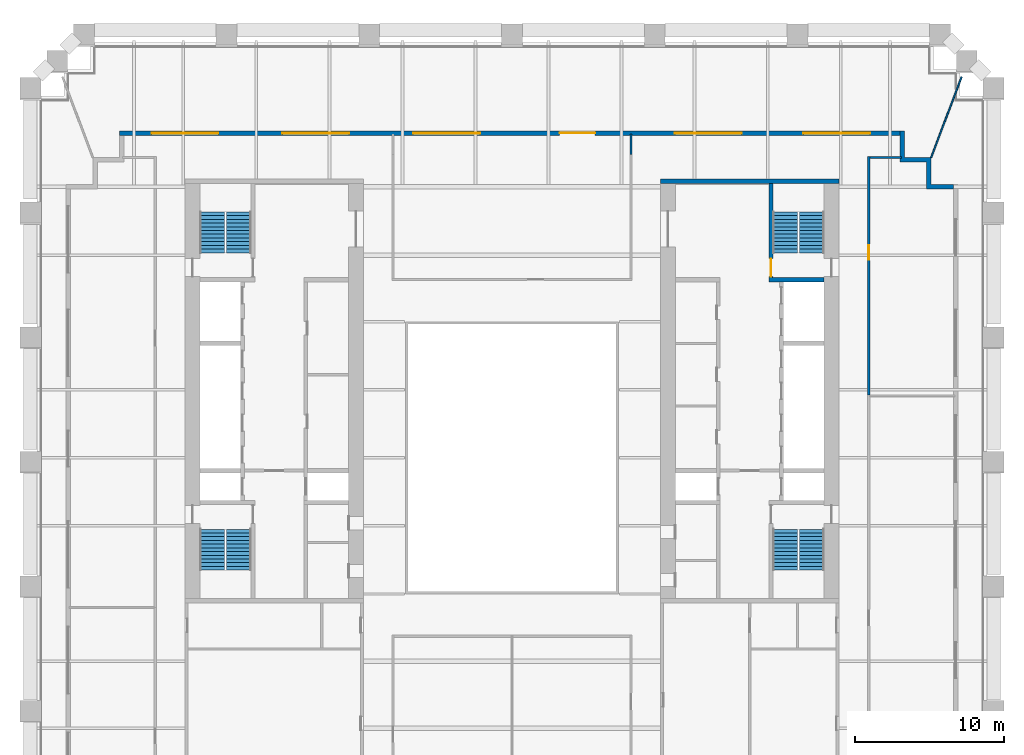
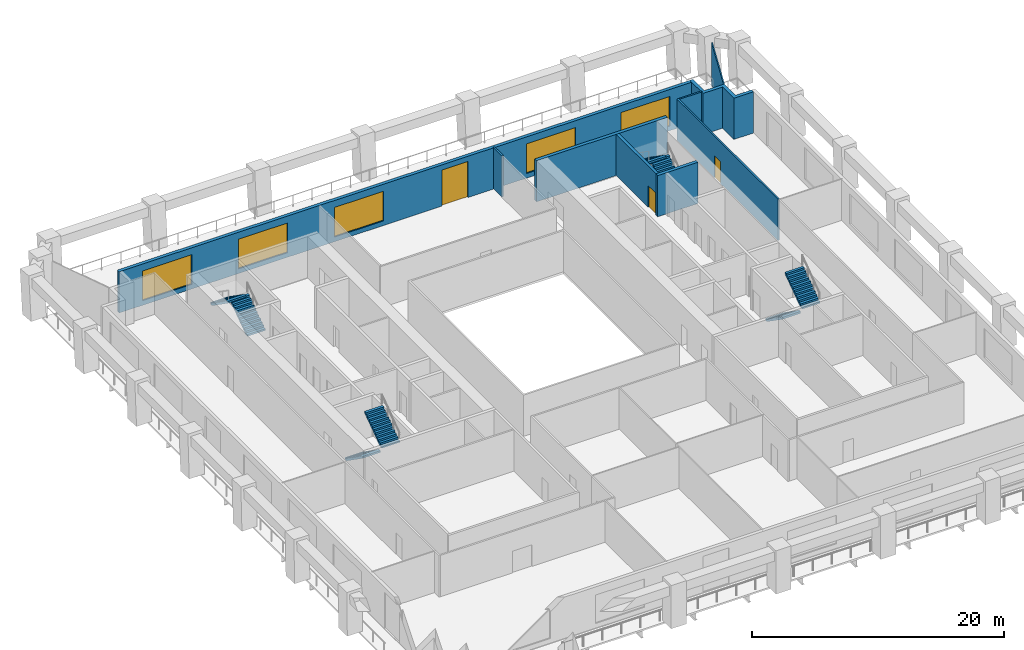
# One storey, part 7 of 8: 9 walls, 8 stair flights, 5 windows, 3 doors, 8 openings, 4 elements without a shape of their own.
"""IFC4 building model written with IfcOpenShell, lengths in metres."""

from ifc_helpers import new_model, si_unit, direction, frame, frame_2d, origin, place, context, subcontext, project, spatial, polyline, rectangle, outline, extrude, material, layer, layer_set, type_object, element, fill, aggregate, save


model = new_model("IFC4")

# Units and contexts
model_context = context("Model", 3, precision=1e-05, world=origin(), true_north=direction((0.0, 1.0)))
body_context = subcontext(model_context, "Body", "Model", "MODEL_VIEW")
ifc_project = project(units=[si_unit("LENGTHUNIT", "METRE"), si_unit("AREAUNIT", "SQUARE_METRE"), si_unit("VOLUMEUNIT", "CUBIC_METRE"), si_unit("PLANEANGLEUNIT", "RADIAN"), si_unit("MASSUNIT", "GRAM", prefix="KILO")], contexts=[model_context])

# Site, building, storey
site_placement = place(None, origin())
site = spatial("IfcSite", under=ifc_project, at=site_placement, CompositionType="ELEMENT")
building_placement = place(site_placement, origin())
building = spatial("IfcBuilding", under=site, at=building_placement, Name="Ogive Exchange Tower", CompositionType="ELEMENT")
storey_placement = place(building_placement, frame((0.0, 0.0, 77.39990234375)))
storey = spatial("IfcBuildingStorey", under=building, at=storey_placement, Name="L16", CompositionType="ELEMENT", Elevation=77.39990234375)

# Wall
ifc_material_1 = material(Name="Fire partition EI 60 150")
ifc_layer_1 = layer(ifc_material_1, 0.14990234375)
ifc_layer_set_1 = layer_set([ifc_layer_1], Name="Fire partition EI 60 150")
wall_type_1 = type_object("IfcWallType", Name="Fire partition EI 60 150", PredefinedType="PARTITIONING", material=ifc_layer_set_1)
wall_1_placement = place(storey_placement, frame((8.010009765625, 27.39990234375, 0.0), z_axis=(0.0, 0.0, 1.0), x_axis=(0.0, 1.0, 0.0)))
element("IfcWall", 1, at=wall_1_placement, inside=storey, type_object=wall_type_1, Name="L16-PWL-025", PredefinedType="PARTITIONING", context=body_context, shape_type="SweptSolid", body=[
    extrude(rectangle(XDim=1.400146484375, YDim=0.14990234375, at=frame_2d((0.7001953125, 0.0))), origin(), (0.0, 0.0, 1.0), 4.0),
])

# Wall, opening, door
wall_2_placement = place(storey_placement, frame((24.0, 27.284912109375, 0.0), z_axis=(0.0, 0.0, 1.0), x_axis=(0.0, -1.0, 0.0)))
wall_2 = element("IfcWall", 2, at=wall_2_placement, inside=storey, type_object=wall_type_1, Name="L16-PWL-035", PredefinedType="PARTITIONING", context=body_context, shape_type="SweptSolid", body=[
    extrude(rectangle(XDim=16.06494140625, YDim=0.14990234375, at=frame_2d((8.032470703125, 0.0))), origin(), (0.0, 0.0, 1.0), 4.0),
])
opening_1_placement = place(wall_2_placement, frame((5.965087890625, 0.0, 0.0)))
opening_1 = element("IfcOpeningElement", 3, at=opening_1_placement, cuts=wall_2, Name="Opening L16-I04", PredefinedType="OPENING", context=body_context, shape_type="SweptSolid", body=[
    extrude(rectangle(XDim=1.0, YDim=2.10009765625, at=frame_2d((0.5, 1.050048828125))), frame((0.0, 0.0849609375, 0.0), z_axis=(0.0, -1.0, 0.0), x_axis=(1.0, 0.0, 0.0)), (0.0, 0.0, 1.0), 0.169921875),
])
ifc_material_2 = material(Name="Fire door FD 30S 1000 x 2100")
door_type_1 = type_object("IfcDoorType", Name="Fire door FD 30S 1000 x 2100", OperationType="NOTDEFINED", PredefinedType="DOOR", material=ifc_material_2)
door_1_placement = place(opening_1_placement, origin())
door_1 = element("IfcDoor", 4, at=door_1_placement, inside=storey, type_object=door_type_1, Name="L16-IDR-004", ObjectType="DT3", OperationType="SINGLE_SWING_LEFT", OverallHeight=2.10009765625, OverallWidth=1.0, PredefinedType="DOOR", context=body_context, shape_type="SweptSolid", body=[
    extrude(rectangle(XDim=1.0, YDim=2.10009765625, at=frame_2d((0.5, 1.050048828125))), frame((0.0, 0.02490234375, 0.0), z_axis=(0.0, -1.0, 0.0), x_axis=(1.0, 0.0, 0.0)), (0.0, 0.0, 1.0), 0.050048828125),
])
fill(opening_1, door_1)

# Wall
wall_3_placement = place(storey_placement, frame((26.199951171875, 27.2099609375, 0.0), z_axis=(0.0, 0.0, 1.0), x_axis=(-1.0, 0.0, 0.0)))
element("IfcWall", 5, at=wall_3_placement, inside=storey, type_object=wall_type_1, Name="L16-PWL-036", PredefinedType="PARTITIONING", context=body_context, shape_type="SweptSolid", body=[
    extrude(rectangle(XDim=2.125, YDim=0.14990234375, at=frame_2d((1.0625, 0.0))), origin(), (0.0, 0.0, 1.0), 4.0),
])

# Wall, openings, door, windows
ifc_material_3 = material(Name="Precast concrete C40/50", Category="concrete")
ifc_layer_2 = layer(ifc_material_3, 0.300048828125)
ifc_layer_set_2 = layer_set([ifc_layer_2], Name="Limestone-faced wall 300")
wall_type_2 = type_object("IfcWallType", Name="Limestone-faced wall 300", PredefinedType="STANDARD", material=ifc_layer_set_2)
wall_4_placement = place(storey_placement, frame((26.10009765625, 28.85009765625, 0.0), z_axis=(0.0, 0.0, 1.0), x_axis=(-1.0, 0.0, 0.0)))
wall_4 = element("IfcWall", 6, at=wall_4_placement, inside=storey, type_object=wall_type_2, Name="External wall N3", PredefinedType="STANDARD", context=body_context, shape_type="SweptSolid", body=[
    extrude(rectangle(XDim=52.5, YDim=0.300048828125, at=frame_2d((26.25, 0.0))), origin(), (0.0, 0.0, 1.0), 4.0),
])
opening_2_placement = place(wall_4_placement, frame((2.0, 0.0, 0.449951171875)))
opening_2 = element("IfcOpeningElement", 7, at=opening_2_placement, cuts=wall_4, Name="Opening W1D", PredefinedType="OPENING", context=body_context, shape_type="SweptSolid", body=[
    extrude(rectangle(XDim=4.5, YDim=2.875, at=frame_2d((2.25, 1.4375))), frame((0.0, 0.159912109375, 0.0), z_axis=(0.0, -1.0, 0.0), x_axis=(1.0, 0.0, 0.0)), (0.0, 0.0, 1.0), 0.320068359375),
])
opening_3_placement = place(wall_4_placement, frame((10.64990234375, 0.0, 0.449951171875)))
opening_3 = element("IfcOpeningElement", 8, at=opening_3_placement, cuts=wall_4, Name="Opening W1D", PredefinedType="OPENING", context=body_context, shape_type="SweptSolid", body=[
    extrude(rectangle(XDim=4.5, YDim=2.875, at=frame_2d((2.25, 1.4375))), frame((0.0, 0.159912109375, 0.0), z_axis=(0.0, -1.0, 0.0), x_axis=(1.0, 0.0, 0.0)), (0.0, 0.0, 1.0), 0.320068359375),
])
opening_4_placement = place(wall_4_placement, frame((20.5, 0.0, 0.0)))
opening_4 = element("IfcOpeningElement", 9, at=opening_4_placement, cuts=wall_4, Name="Opening D1", PredefinedType="OPENING", context=body_context, shape_type="SweptSolid", body=[
    extrude(rectangle(XDim=2.39990234375, YDim=3.5, at=frame_2d((1.199951171875, 1.75))), frame((0.0, 0.159912109375, 0.0), z_axis=(0.0, -1.0, 0.0), x_axis=(1.0, 0.0, 0.0)), (0.0, 0.0, 1.0), 0.320068359375),
])
opening_5_placement = place(wall_4_placement, frame((28.25, 0.0, 0.449951171875)))
opening_5 = element("IfcOpeningElement", 10, at=opening_5_placement, cuts=wall_4, Name="Opening W1D", PredefinedType="OPENING", context=body_context, shape_type="SweptSolid", body=[
    extrude(rectangle(XDim=4.5, YDim=2.875, at=frame_2d((2.25, 1.4375))), frame((0.0, 0.159912109375, 0.0), z_axis=(0.0, -1.0, 0.0), x_axis=(1.0, 0.0, 0.0)), (0.0, 0.0, 1.0), 0.320068359375),
])
opening_6_placement = place(wall_4_placement, frame((37.050048828125, 0.0, 0.449951171875)))
opening_6 = element("IfcOpeningElement", 11, at=opening_6_placement, cuts=wall_4, Name="Opening W1D", PredefinedType="OPENING", context=body_context, shape_type="SweptSolid", body=[
    extrude(rectangle(XDim=4.5, YDim=2.875, at=frame_2d((2.25, 1.4375))), frame((0.0, 0.159912109375, 0.0), z_axis=(0.0, -1.0, 0.0), x_axis=(1.0, 0.0, 0.0)), (0.0, 0.0, 1.0), 0.320068359375),
])
opening_7_placement = place(wall_4_placement, frame((45.85009765625, 0.0, 0.449951171875)))
opening_7 = element("IfcOpeningElement", 12, at=opening_7_placement, cuts=wall_4, Name="Opening W1D", PredefinedType="OPENING", context=body_context, shape_type="SweptSolid", body=[
    extrude(rectangle(XDim=4.5, YDim=2.875, at=frame_2d((2.25, 1.4375))), frame((0.0, 0.159912109375, 0.0), z_axis=(0.0, -1.0, 0.0), x_axis=(1.0, 0.0, 0.0)), (0.0, 0.0, 1.0), 0.320068359375),
])
ifc_material_4 = material(Name="Clear glass in bronze frame", Category="glass")
door_type_2 = type_object("IfcDoorType", Name="Sliding loggia door 2400 x 3500", OperationType="DOUBLE_DOOR_SLIDING", PredefinedType="DOOR", material=ifc_material_4)
door_2_placement = place(opening_4_placement, origin())
door_2 = element("IfcDoor", 13, at=door_2_placement, inside=storey, type_object=door_type_2, Name="Loggia door N02", OperationType="DOUBLE_DOOR_SLIDING", OverallHeight=3.5, OverallWidth=2.39990234375, PredefinedType="DOOR", context=body_context, shape_type="SweptSolid", body=[
    extrude(rectangle(XDim=2.39990234375, YDim=3.5, at=frame_2d((1.199951171875, 1.75))), frame((0.0, 0.02490234375, 0.0), z_axis=(0.0, -1.0, 0.0), x_axis=(1.0, 0.0, 0.0)), (0.0, 0.0, 1.0), 0.050048828125),
])
fill(opening_4, door_2)
window_type = type_object("IfcWindowType", Name="Twin lancet window 4500 x 2875", PartitioningType="DOUBLE_PANEL_VERTICAL", PredefinedType="WINDOW", material=ifc_material_4)
window_1_placement = place(opening_2_placement, origin())
window_1 = element("IfcWindow", 14, at=window_1_placement, inside=storey, type_object=window_type, Name="Window N00", OverallHeight=2.875, OverallWidth=4.5, PartitioningType="DOUBLE_PANEL_VERTICAL", PredefinedType="WINDOW", context=body_context, shape_type="SweptSolid", body=[
    extrude(rectangle(XDim=4.5, YDim=2.875, at=frame_2d((2.25, 1.4375))), frame((0.0, 0.030029296875, 0.0), z_axis=(0.0, -1.0, 0.0), x_axis=(1.0, 0.0, 0.0)), (0.0, 0.0, 1.0), 0.06005859375),
])
fill(opening_2, window_1)
window_2_placement = place(opening_3_placement, origin())
window_2 = element("IfcWindow", 15, at=window_2_placement, inside=storey, type_object=window_type, Name="Window N01", OverallHeight=2.875, OverallWidth=4.5, PartitioningType="DOUBLE_PANEL_VERTICAL", PredefinedType="WINDOW", context=body_context, shape_type="SweptSolid", body=[
    extrude(rectangle(XDim=4.5, YDim=2.875, at=frame_2d((2.25, 1.4375))), frame((0.0, 0.030029296875, 0.0), z_axis=(0.0, -1.0, 0.0), x_axis=(1.0, 0.0, 0.0)), (0.0, 0.0, 1.0), 0.06005859375),
])
fill(opening_3, window_2)
window_3_placement = place(opening_5_placement, origin())
window_3 = element("IfcWindow", 16, at=window_3_placement, inside=storey, type_object=window_type, Name="Window N03", OverallHeight=2.875, OverallWidth=4.5, PartitioningType="DOUBLE_PANEL_VERTICAL", PredefinedType="WINDOW", context=body_context, shape_type="SweptSolid", body=[
    extrude(rectangle(XDim=4.5, YDim=2.875, at=frame_2d((2.25, 1.4375))), frame((0.0, 0.030029296875, 0.0), z_axis=(0.0, -1.0, 0.0), x_axis=(1.0, 0.0, 0.0)), (0.0, 0.0, 1.0), 0.06005859375),
])
fill(opening_5, window_3)
window_4_placement = place(opening_6_placement, origin())
window_4 = element("IfcWindow", 17, at=window_4_placement, inside=storey, type_object=window_type, Name="Window N04", OverallHeight=2.875, OverallWidth=4.5, PartitioningType="DOUBLE_PANEL_VERTICAL", PredefinedType="WINDOW", context=body_context, shape_type="SweptSolid", body=[
    extrude(rectangle(XDim=4.5, YDim=2.875, at=frame_2d((2.25, 1.4375))), frame((0.0, 0.030029296875, 0.0), z_axis=(0.0, -1.0, 0.0), x_axis=(1.0, 0.0, 0.0)), (0.0, 0.0, 1.0), 0.06005859375),
])
fill(opening_6, window_4)
window_5_placement = place(opening_7_placement, origin())
window_5 = element("IfcWindow", 18, at=window_5_placement, inside=storey, type_object=window_type, Name="Window N05", OverallHeight=2.875, OverallWidth=4.5, PartitioningType="DOUBLE_PANEL_VERTICAL", PredefinedType="WINDOW", context=body_context, shape_type="SweptSolid", body=[
    extrude(rectangle(XDim=4.5, YDim=2.875, at=frame_2d((2.25, 1.4375))), frame((0.0, 0.030029296875, 0.0), z_axis=(0.0, -1.0, 0.0), x_axis=(1.0, 0.0, 0.0)), (0.0, 0.0, 1.0), 0.06005859375),
])
fill(opening_7, window_5)

# Walls
wall_5_placement = place(storey_placement, origin())
element("IfcWall", 19, at=wall_5_placement, inside=storey, type_object=wall_type_2, Name="External corner wall C2", PredefinedType="STANDARD", context=body_context, shape_type="SweptSolid", body=[
    extrude(outline(polyline([(27.89990234375, 26.89990234375), (26.10009765625, 26.89990234375), (26.10009765625, 29.0), (26.39990234375, 29.0), (26.39990234375, 27.199951171875), (28.199951171875, 27.199951171875), (28.199951171875, 25.39990234375), (29.699951171875, 25.39990234375), (29.699951171875, 25.10009765625), (27.89990234375, 25.10009765625), (27.89990234375, 26.89990234375)])), origin(), (0.0, 0.0, 1.0), 4.0),
])
ifc_material_5 = material(Name="Laminated safety glass in steel frame", Category="steel")
ifc_layer_3 = layer(ifc_material_5, 0.10009765625)
ifc_layer_set_3 = layer_set([ifc_layer_3], Name="Loggia end screen 100")
wall_type_3 = type_object("IfcWallType", Name="Loggia end screen 100", PredefinedType="STANDARD", material=ifc_layer_set_3)
wall_6_placement = place(storey_placement, frame((28.199951171875, 27.199951171875, -0.0498046875), z_axis=(0.0, 0.0, 1.0), x_axis=(0.351989298561, 0.936004024403, 0.0)))
element("IfcWall", 20, at=wall_6_placement, inside=storey, type_object=wall_type_3, Name="Loggia end screen C2", PredefinedType="STANDARD", context=body_context, shape_type="SweptSolid", body=[
    extrude(rectangle(XDim=5.80810546875, YDim=0.10009765625, at=frame_2d((2.904052734375, 0.0))), origin(), (0.0, 0.0, 1.0), 4.0498046875),
])

# Wall, opening, door
ifc_material_6 = material(Name="Concrete C70/85", Category="concrete")
ifc_layer_4 = layer(ifc_material_6, 0.25)
ifc_layer_set_4 = layer_set([ifc_layer_4], Name="RC core wall 250 C70/85")
wall_type_4 = type_object("IfcWallType", Name="RC core wall 250 C70/85", PredefinedType="SHEAR", material=ifc_layer_set_4)
wall_7_placement = place(storey_placement, frame((17.425048828125, 19.14990234375, 0.0), z_axis=(0.0, 0.0, 1.0), x_axis=(0.0, 1.0, 0.0)))
wall_7 = element("IfcWall", 21, at=wall_7_placement, inside=storey, type_object=wall_type_4, Name="E stair N front wall", PredefinedType="SHEAR", context=body_context, shape_type="SweptSolid", body=[
    extrude(rectangle(XDim=6.300048828125, YDim=0.25, at=frame_2d((3.14990234375, 0.0))), origin(), (0.0, 0.0, 1.0), 4.0),
])
opening_8_placement = place(wall_7_placement, frame((0.050048828125, 0.0, 0.0)))
opening_8 = element("IfcOpeningElement", 22, at=opening_8_placement, cuts=wall_7, Name="Opening L16-C37", PredefinedType="OPENING", context=body_context, shape_type="SweptSolid", body=[
    extrude(rectangle(XDim=1.199951171875, YDim=2.10009765625, at=frame_2d((0.60009765625, 1.050048828125))), frame((0.0, 0.135009765625, 0.0), z_axis=(0.0, -1.0, 0.0), x_axis=(1.0, 0.0, 0.0)), (0.0, 0.0, 1.0), 0.27001953125),
])
ifc_material_7 = material(Name="Steel fire door", Category="steel")
door_type_3 = type_object("IfcDoorType", Name="Stair door FD90 1200 x 2100", OperationType="NOTDEFINED", PredefinedType="DOOR", material=ifc_material_7)
door_3_placement = place(opening_8_placement, frame((1.199951171875, 0.0, 0.0), z_axis=(0.0, 0.0, 1.0), x_axis=(-1.0, 0.0, 0.0)))
door_3 = element("IfcDoor", 23, at=door_3_placement, inside=storey, type_object=door_type_3, Name="Stair door", ObjectType="CD5", OperationType="SINGLE_SWING_LEFT", OverallHeight=2.10009765625, OverallWidth=1.199951171875, PredefinedType="DOOR", context=body_context, shape_type="SweptSolid", body=[
    extrude(rectangle(XDim=1.199951171875, YDim=2.10009765625, at=frame_2d((0.60009765625, 1.050048828125))), frame((0.0, 0.02490234375, 0.0), z_axis=(0.0, -1.0, 0.0), x_axis=(1.0, 0.0, 0.0)), (0.0, 0.0, 1.0), 0.050048828125),
])
fill(opening_8, door_3)

# Walls
ifc_layer_5 = layer(ifc_material_6, 0.300048828125)
ifc_layer_set_5 = layer_set([ifc_layer_5], Name="RC core wall 300 C70/85")
wall_type_5 = type_object("IfcWallType", Name="RC core wall 300 C70/85", PredefinedType="SHEAR", material=ifc_layer_set_5)
wall_8_placement = place(storey_placement, frame((10.0, 25.60009765625, 0.0), z_axis=(0.0, 0.0, 1.0), x_axis=(1.0, 0.0, 0.0)))
element("IfcWall", 24, at=wall_8_placement, inside=storey, type_object=wall_type_5, Name="E north end wall", PredefinedType="SHEAR", context=body_context, shape_type="SweptSolid", body=[
    extrude(rectangle(XDim=12.0, YDim=0.300048828125, at=frame_2d((6.0, 0.0))), origin(), (0.0, 0.0, 1.0), 4.0),
])
wall_9_placement = place(storey_placement, frame((17.300048828125, 19.0, 0.0), z_axis=(0.0, 0.0, 1.0), x_axis=(1.0, 0.0, 0.0)))
element("IfcWall", 25, at=wall_9_placement, inside=storey, type_object=wall_type_5, Name="E stair N south wall", PredefinedType="SHEAR", context=body_context, shape_type="SweptSolid", body=[
    extrude(rectangle(XDim=3.699951171875, YDim=0.300048828125, at=frame_2d((1.85009765625, 0.0))), origin(), (0.0, 0.0, 1.0), 4.0),
])

# Stair, stair flights
ifc_material_8 = material(Name="Concrete C40/50", Category="concrete")
stair_type = type_object("IfcStairType", Name="Exit stair 1650 wide", PredefinedType="HALF_TURN_STAIR", material=ifc_material_8)
stair_1_placement = place(storey_placement, origin())
stair_1 = element("IfcStair", 26, at=stair_1_placement, inside=storey, type_object=stair_type, Name="L16 exit stair ST1", PredefinedType="HALF_TURN_STAIR")
stair_flight_type = type_object("IfcStairFlightType", Name="Stair flight 1650 wide", PredefinedType="STRAIGHT", material=ifc_material_8)
stair_flight_1_placement = place(storey_placement, frame((-20.175048828125, 2.199951171875, 0.0), z_axis=(0.0, 0.0, 1.0), x_axis=(0.0, -1.0, 0.0)))
stair_flight_1 = element("IfcStairFlight", 27, at=stair_flight_1_placement, type_object=stair_flight_type, Name="ST1 flight 1", NumberOfRisers=12, NumberOfTreads=11, PredefinedType="STRAIGHT", RiserHeight=0.175, TreadLength=0.25, context=body_context, shape_type="SweptSolid", body=[
    extrude(outline(polyline([(0.0, 0.0), (0.0, 0.175048828125), (0.25, 0.175048828125), (0.25, 0.35009765625), (0.5, 0.35009765625), (0.5, 0.52490234375), (0.75, 0.52490234375), (0.75, 0.699951171875), (1.0, 0.699951171875), (1.0, 0.875), (1.25, 0.875), (1.25, 1.050048828125), (1.5, 1.050048828125), (1.5, 1.22509765625), (1.75, 1.22509765625), (1.75, 1.39990234375), (2.0, 1.39990234375), (2.0, 1.574951171875), (2.25, 1.574951171875), (2.25, 1.75), (2.5, 1.75), (2.5, 1.925048828125), (2.75, 1.925048828125), (2.75, 2.10009765625), (2.75, 1.741943359375), (0.261474609375, 0.0), (0.0, 0.0)])), frame((0.0, 0.824951171875, 0.0), z_axis=(0.0, -1.0, 0.0), x_axis=(1.0, 0.0, 0.0)), (0.0, 0.0, 1.0), 1.64990234375),
])
stair_flight_2_placement = place(storey_placement, frame((-18.375, -0.550048828125, 2.10009765625), z_axis=(0.0, 0.0, 1.0), x_axis=(0.0, 1.0, 0.0)))
stair_flight_2 = element("IfcStairFlight", 28, at=stair_flight_2_placement, type_object=stair_flight_type, Name="ST1 flight 2", NumberOfRisers=12, NumberOfTreads=11, PredefinedType="STRAIGHT", RiserHeight=0.175, TreadLength=0.25, context=body_context, shape_type="SweptSolid", body=[
    extrude(outline(polyline([(0.0, 0.0), (0.0, 0.175048828125), (0.25, 0.175048828125), (0.25, 0.35009765625), (0.5, 0.35009765625), (0.5, 0.52490234375), (0.75, 0.52490234375), (0.75, 0.699951171875), (1.0, 0.699951171875), (1.0, 0.875), (1.25, 0.875), (1.25, 1.050048828125), (1.5, 1.050048828125), (1.5, 1.22509765625), (1.75, 1.22509765625), (1.75, 1.39990234375), (2.0, 1.39990234375), (2.0, 1.574951171875), (2.25, 1.574951171875), (2.25, 1.75), (2.5, 1.75), (2.5, 1.925048828125), (2.75, 1.925048828125), (2.75, 2.10009765625), (2.75, 1.741943359375), (0.261474609375, 0.0), (0.0, 0.0)])), frame((0.0, 0.824951171875, 0.0), z_axis=(0.0, -1.0, 0.0), x_axis=(1.0, 0.0, 0.0)), (0.0, 0.0, 1.0), 1.64990234375),
])
aggregate(stair_1, [stair_flight_1, stair_flight_2])

stair_2_placement = place(storey_placement, origin())
stair_2 = element("IfcStair", 29, at=stair_2_placement, inside=storey, type_object=stair_type, Name="L16 exit stair ST2", PredefinedType="HALF_TURN_STAIR")
stair_flight_3_placement = place(storey_placement, frame((-18.375, 20.800048828125, 0.0), z_axis=(0.0, 0.0, 1.0), x_axis=(0.0, 1.0, 0.0)))
stair_flight_3 = element("IfcStairFlight", 30, at=stair_flight_3_placement, type_object=stair_flight_type, Name="ST2 flight 1", NumberOfRisers=12, NumberOfTreads=11, PredefinedType="STRAIGHT", RiserHeight=0.175, TreadLength=0.25, context=body_context, shape_type="SweptSolid", body=[
    extrude(outline(polyline([(0.0, 0.0), (0.0, 0.175048828125), (0.25, 0.175048828125), (0.25, 0.35009765625), (0.5, 0.35009765625), (0.5, 0.52490234375), (0.75, 0.52490234375), (0.75, 0.699951171875), (1.0, 0.699951171875), (1.0, 0.875), (1.25, 0.875), (1.25, 1.050048828125), (1.5, 1.050048828125), (1.5, 1.22509765625), (1.75, 1.22509765625), (1.75, 1.39990234375), (2.0, 1.39990234375), (2.0, 1.574951171875), (2.25, 1.574951171875), (2.25, 1.75), (2.5, 1.75), (2.5, 1.925048828125), (2.75, 1.925048828125), (2.75, 2.10009765625), (2.75, 1.741943359375), (0.261474609375, 0.0), (0.0, 0.0)])), frame((0.0, 0.824951171875, 0.0), z_axis=(0.0, -1.0, 0.0), x_axis=(1.0, 0.0, 0.0)), (0.0, 0.0, 1.0), 1.64990234375),
])
stair_flight_4_placement = place(storey_placement, frame((-20.175048828125, 23.550048828125, 2.10009765625), z_axis=(0.0, 0.0, 1.0), x_axis=(0.0, -1.0, 0.0)))
stair_flight_4 = element("IfcStairFlight", 31, at=stair_flight_4_placement, type_object=stair_flight_type, Name="ST2 flight 2", NumberOfRisers=12, NumberOfTreads=11, PredefinedType="STRAIGHT", RiserHeight=0.175, TreadLength=0.25, context=body_context, shape_type="SweptSolid", body=[
    extrude(outline(polyline([(0.0, 0.0), (0.0, 0.175048828125), (0.25, 0.175048828125), (0.25, 0.35009765625), (0.5, 0.35009765625), (0.5, 0.52490234375), (0.75, 0.52490234375), (0.75, 0.699951171875), (1.0, 0.699951171875), (1.0, 0.875), (1.25, 0.875), (1.25, 1.050048828125), (1.5, 1.050048828125), (1.5, 1.22509765625), (1.75, 1.22509765625), (1.75, 1.39990234375), (2.0, 1.39990234375), (2.0, 1.574951171875), (2.25, 1.574951171875), (2.25, 1.75), (2.5, 1.75), (2.5, 1.925048828125), (2.75, 1.925048828125), (2.75, 2.10009765625), (2.75, 1.741943359375), (0.261474609375, 0.0), (0.0, 0.0)])), frame((0.0, 0.824951171875, 0.0), z_axis=(0.0, -1.0, 0.0), x_axis=(1.0, 0.0, 0.0)), (0.0, 0.0, 1.0), 1.64990234375),
])
aggregate(stair_2, [stair_flight_3, stair_flight_4])

stair_3_placement = place(storey_placement, origin())
stair_3 = element("IfcStair", 32, at=stair_3_placement, inside=storey, type_object=stair_type, Name="L16 exit stair ST3", PredefinedType="HALF_TURN_STAIR")
stair_flight_5_placement = place(storey_placement, frame((18.375, 2.199951171875, 0.0), z_axis=(0.0, 0.0, 1.0), x_axis=(0.0, -1.0, 0.0)))
stair_flight_5 = element("IfcStairFlight", 33, at=stair_flight_5_placement, type_object=stair_flight_type, Name="ST3 flight 1", NumberOfRisers=12, NumberOfTreads=11, PredefinedType="STRAIGHT", RiserHeight=0.175, TreadLength=0.25, context=body_context, shape_type="SweptSolid", body=[
    extrude(outline(polyline([(0.0, 0.0), (0.0, 0.175048828125), (0.25, 0.175048828125), (0.25, 0.35009765625), (0.5, 0.35009765625), (0.5, 0.52490234375), (0.75, 0.52490234375), (0.75, 0.699951171875), (1.0, 0.699951171875), (1.0, 0.875), (1.25, 0.875), (1.25, 1.050048828125), (1.5, 1.050048828125), (1.5, 1.22509765625), (1.75, 1.22509765625), (1.75, 1.39990234375), (2.0, 1.39990234375), (2.0, 1.574951171875), (2.25, 1.574951171875), (2.25, 1.75), (2.5, 1.75), (2.5, 1.925048828125), (2.75, 1.925048828125), (2.75, 2.10009765625), (2.75, 1.741943359375), (0.261474609375, 0.0), (0.0, 0.0)])), frame((0.0, 0.824951171875, 0.0), z_axis=(0.0, -1.0, 0.0), x_axis=(1.0, 0.0, 0.0)), (0.0, 0.0, 1.0), 1.64990234375),
])
stair_flight_6_placement = place(storey_placement, frame((20.175048828125, -0.550048828125, 2.10009765625), z_axis=(0.0, 0.0, 1.0), x_axis=(0.0, 1.0, 0.0)))
stair_flight_6 = element("IfcStairFlight", 34, at=stair_flight_6_placement, type_object=stair_flight_type, Name="ST3 flight 2", NumberOfRisers=12, NumberOfTreads=11, PredefinedType="STRAIGHT", RiserHeight=0.175, TreadLength=0.25, context=body_context, shape_type="SweptSolid", body=[
    extrude(outline(polyline([(0.0, 0.0), (0.0, 0.175048828125), (0.25, 0.175048828125), (0.25, 0.35009765625), (0.5, 0.35009765625), (0.5, 0.52490234375), (0.75, 0.52490234375), (0.75, 0.699951171875), (1.0, 0.699951171875), (1.0, 0.875), (1.25, 0.875), (1.25, 1.050048828125), (1.5, 1.050048828125), (1.5, 1.22509765625), (1.75, 1.22509765625), (1.75, 1.39990234375), (2.0, 1.39990234375), (2.0, 1.574951171875), (2.25, 1.574951171875), (2.25, 1.75), (2.5, 1.75), (2.5, 1.925048828125), (2.75, 1.925048828125), (2.75, 2.10009765625), (2.75, 1.741943359375), (0.261474609375, 0.0), (0.0, 0.0)])), frame((0.0, 0.824951171875, 0.0), z_axis=(0.0, -1.0, 0.0), x_axis=(1.0, 0.0, 0.0)), (0.0, 0.0, 1.0), 1.64990234375),
])
aggregate(stair_3, [stair_flight_5, stair_flight_6])

stair_4_placement = place(storey_placement, origin())
stair_4 = element("IfcStair", 35, at=stair_4_placement, inside=storey, type_object=stair_type, Name="L16 exit stair ST4", PredefinedType="HALF_TURN_STAIR")
stair_flight_7_placement = place(storey_placement, frame((20.175048828125, 20.800048828125, 0.0), z_axis=(0.0, 0.0, 1.0), x_axis=(0.0, 1.0, 0.0)))
stair_flight_7 = element("IfcStairFlight", 36, at=stair_flight_7_placement, type_object=stair_flight_type, Name="ST4 flight 1", NumberOfRisers=12, NumberOfTreads=11, PredefinedType="STRAIGHT", RiserHeight=0.175, TreadLength=0.25, context=body_context, shape_type="SweptSolid", body=[
    extrude(outline(polyline([(0.0, 0.0), (0.0, 0.175048828125), (0.25, 0.175048828125), (0.25, 0.35009765625), (0.5, 0.35009765625), (0.5, 0.52490234375), (0.75, 0.52490234375), (0.75, 0.699951171875), (1.0, 0.699951171875), (1.0, 0.875), (1.25, 0.875), (1.25, 1.050048828125), (1.5, 1.050048828125), (1.5, 1.22509765625), (1.75, 1.22509765625), (1.75, 1.39990234375), (2.0, 1.39990234375), (2.0, 1.574951171875), (2.25, 1.574951171875), (2.25, 1.75), (2.5, 1.75), (2.5, 1.925048828125), (2.75, 1.925048828125), (2.75, 2.10009765625), (2.75, 1.741943359375), (0.261474609375, 0.0), (0.0, 0.0)])), frame((0.0, 0.824951171875, 0.0), z_axis=(0.0, -1.0, 0.0), x_axis=(1.0, 0.0, 0.0)), (0.0, 0.0, 1.0), 1.64990234375),
])
stair_flight_8_placement = place(storey_placement, frame((18.375, 23.550048828125, 2.10009765625), z_axis=(0.0, 0.0, 1.0), x_axis=(0.0, -1.0, 0.0)))
stair_flight_8 = element("IfcStairFlight", 37, at=stair_flight_8_placement, type_object=stair_flight_type, Name="ST4 flight 2", NumberOfRisers=12, NumberOfTreads=11, PredefinedType="STRAIGHT", RiserHeight=0.175, TreadLength=0.25, context=body_context, shape_type="SweptSolid", body=[
    extrude(outline(polyline([(0.0, 0.0), (0.0, 0.175048828125), (0.25, 0.175048828125), (0.25, 0.35009765625), (0.5, 0.35009765625), (0.5, 0.52490234375), (0.75, 0.52490234375), (0.75, 0.699951171875), (1.0, 0.699951171875), (1.0, 0.875), (1.25, 0.875), (1.25, 1.050048828125), (1.5, 1.050048828125), (1.5, 1.22509765625), (1.75, 1.22509765625), (1.75, 1.39990234375), (2.0, 1.39990234375), (2.0, 1.574951171875), (2.25, 1.574951171875), (2.25, 1.75), (2.5, 1.75), (2.5, 1.925048828125), (2.75, 1.925048828125), (2.75, 2.10009765625), (2.75, 1.741943359375), (0.261474609375, 0.0), (0.0, 0.0)])), frame((0.0, 0.824951171875, 0.0), z_axis=(0.0, -1.0, 0.0), x_axis=(1.0, 0.0, 0.0)), (0.0, 0.0, 1.0), 1.64990234375),
])
aggregate(stair_4, [stair_flight_7, stair_flight_8])

save(model, "model.ifc")
